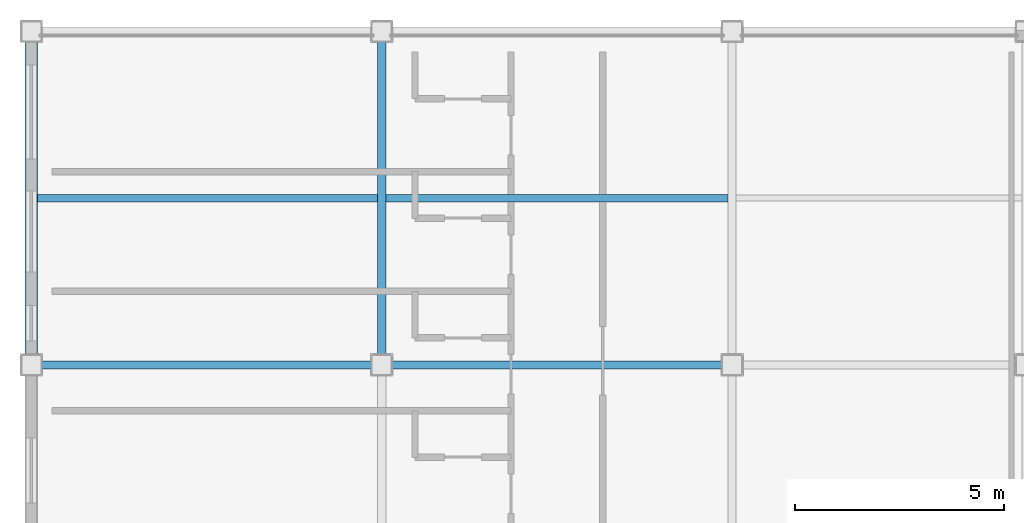
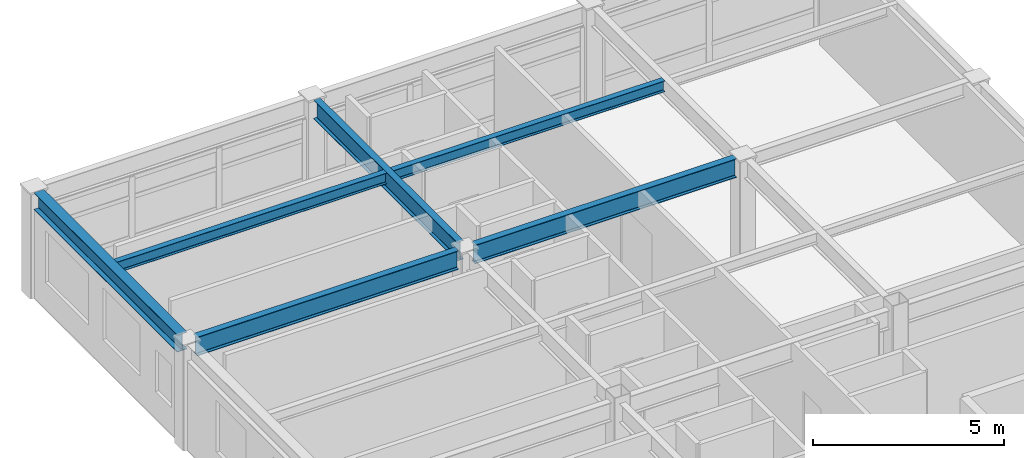
# One storey, part 17 of 33: 6 beams.
"""IFC4 building model written with IfcOpenShell, lengths in metres."""

import ifcopenshell
import ifcopenshell.guid

model = None  # the IFC model being written
_history = None  # IfcOwnerHistory: only IFC2X3 demands one
_inside = {}  # id of a spatial element -> (the spatial element, [elements in it])
_under = {}  # id of a project, library or spatial element -> (it, [spatial elements below it])
_declared = {}  # id of a project -> (the project, [libraries it declares])
_typed = {}  # id of a type object -> (the type object, [elements of that type])
_made_of = {}  # id of a material, layer set ... -> (it, [elements and type objects made of it])


def new_model(schema):
    """Start an empty IFC model of exactly this schema.

    Asked for "IFC4X3", IfcOpenShell would pick the latest addendum, in which some entities
    have other attributes; the version numbers below select the first issue.
    IFC2X3 requires an IfcOwnerHistory on every rooted entity: one is made here for all.
    """
    global model, _history
    if schema == "IFC4X3":
        model = ifcopenshell.file(schema_version=(4, 3, 0, 0))
    else:
        model = ifcopenshell.file(schema=schema)
    _inside.clear()
    _under.clear()
    _declared.clear()
    _typed.clear()
    _made_of.clear()
    _history = None
    if model.schema == "IFC2X3":
        org = make("IfcOrganization", Name="unknown")
        user = make(
            "IfcPersonAndOrganization",
            ThePerson=make("IfcPerson", FamilyName="unknown"),
            TheOrganization=org,
        )
        app = make(
            "IfcApplication",
            ApplicationDeveloper=org,
            Version="unknown",
            ApplicationFullName="unknown",
            ApplicationIdentifier="unknown",
        )
        _history = make(
            "IfcOwnerHistory",
            OwningUser=user,
            OwningApplication=app,
            ChangeAction="ADDED",
            CreationDate=0,
        )
    return model


def make(cls, **values):
    """One entity of the class cls with the attributes given. An attribute that is None is left unset."""
    return model.create_entity(
        cls, **{name: value for name, value in values.items() if value is not None}
    )


def rooted(cls, **values):
    """An entity with a GlobalId (a new one), such as an element, a storey or a relation."""
    return make(cls, GlobalId=ifcopenshell.guid.new(), OwnerHistory=_history, **values)


def si_unit(unit_type, name, prefix=None):
    """IfcSIUnit, for example si_unit("LENGTHUNIT", "METRE", prefix="MILLI")."""
    return make("IfcSIUnit", UnitType=unit_type, Prefix=prefix, Name=name)


def assignment(units):
    """IfcUnitAssignment: the units of a project."""
    return None if units is None else make("IfcUnitAssignment", Units=units)


def point(xyz):
    """IfcCartesianPoint."""
    return None if xyz is None else make("IfcCartesianPoint", Coordinates=xyz)


def direction(xyz):
    """IfcDirection."""
    return None if xyz is None else make("IfcDirection", DirectionRatios=xyz)


def frame(location, z_axis=None, x_axis=None):
    """IfcAxis2Placement3D, a coordinate frame: its origin and axes. An axis left out is left unset."""
    return make(
        "IfcAxis2Placement3D",
        Location=point(location),
        Axis=direction(z_axis),
        RefDirection=direction(x_axis),
    )


def frame_2d(location, x_axis=None):
    """IfcAxis2Placement2D, a coordinate frame in the plane: its origin and x axis."""
    return make(
        "IfcAxis2Placement2D", Location=point(location), RefDirection=direction(x_axis)
    )


def origin():
    """The frame at (0, 0, 0) with its axes left unset."""
    return frame((0.0, 0.0, 0.0))


def origin_2d():
    """The frame at (0, 0) in the plane with its x axis left unset."""
    return frame_2d((0.0, 0.0))


def place(relative_to, where):
    """IfcLocalPlacement: puts the frame where relative to a parent placement (None: the world)."""
    return make(
        "IfcLocalPlacement", PlacementRelTo=relative_to, RelativePlacement=where
    )


def context(
    kind, dimensions, precision=None, world=None, true_north=None, identifier=None
):
    """IfcGeometricRepresentationContext, for example the 3D "Model" context."""
    return make(
        "IfcGeometricRepresentationContext",
        ContextIdentifier=identifier,
        ContextType=kind,
        CoordinateSpaceDimension=dimensions,
        Precision=precision,
        WorldCoordinateSystem=world,
        TrueNorth=true_north,
    )


def subcontext(parent, identifier, kind, view, scale=None):
    """IfcGeometricRepresentationSubContext, for example "Body" below "Model"."""
    return make(
        "IfcGeometricRepresentationSubContext",
        ContextIdentifier=identifier,
        ContextType=kind,
        ParentContext=parent,
        TargetScale=scale,
        TargetView=view,
    )


def project(units=None, contexts=None):
    """IfcProject with its units and contexts."""
    return rooted(
        "IfcProject",
        Name="project",
        RepresentationContexts=contexts,
        UnitsInContext=assignment(units),
    )


def spatial(cls, under=None, at=None, **own):
    """A site, building, storey or space (cls), placed at a placement, below another one or the project."""
    s = rooted(cls, ObjectPlacement=at, **own)
    if under is not None:
        _under.setdefault(under.id(), (under, []))[1].append(s)
    return s


def profile(cls, at=None, kind="AREA", **sizes):
    """A parametric profile (cls). Its sizes go by their IFC names, for example OverallWidth=200.0."""
    return make(cls, ProfileType=kind, Position=at, **sizes)


def i_section(**sizes):
    """IfcIShapeProfileDef."""
    return profile("IfcIShapeProfileDef", **sizes)


def extrude(swept, where, along, depth):
    """IfcExtrudedAreaSolid: the profile swept, set in the frame where, extruded along a direction by depth."""
    return make(
        "IfcExtrudedAreaSolid",
        SweptArea=swept,
        Position=where,
        ExtrudedDirection=direction(along),
        Depth=depth,
    )


def shape(context_of_items, identifier, shape_type, items):
    """IfcShapeRepresentation: the items that make up one representation, for example the "Body"."""
    return make(
        "IfcShapeRepresentation",
        ContextOfItems=context_of_items,
        RepresentationIdentifier=identifier,
        RepresentationType=shape_type,
        Items=items,
    )


def material(Name=None, Category=None):
    """IfcMaterial."""
    return make("IfcMaterial", Name=Name, Category=Category)


def material_profile(
    of_material, cross_section, Name=None, Category=None, Priority=None
):
    """IfcMaterialProfile: a cross section and its material."""
    return make(
        "IfcMaterialProfile",
        Name=Name,
        Material=of_material,
        Profile=cross_section,
        Priority=Priority,
        Category=Category,
    )


def profile_set(profiles, Name=None, composite=None):
    """IfcMaterialProfileSet."""
    return make(
        "IfcMaterialProfileSet",
        Name=Name,
        MaterialProfiles=profiles,
        CompositeProfile=composite,
    )


def made_of(thing, what):
    """Note that an element or type object is made of a material, layer set ...; save() writes the relation."""
    if what is not None:
        _made_of.setdefault(what.id(), (what, []))[1].append(thing)
    return thing


def type_object(cls, material=None, **own):
    """A type object (cls), such as IfcWallType, which elements share."""
    return made_of(rooted(cls, **own), material)


def element(
    cls,
    number,
    at=None,
    inside=None,
    cuts=None,
    type_object=None,
    material=None,
    context=None,
    identifier="Body",
    shape_type=None,
    held_by="IfcProductDefinitionShape",
    body=None,
    shapes=None,
    **own,
):
    """One element of the class cls, such as IfcWall. Its Tag is "e" and its number.

    at: its placement. inside: the storey or other place that contains it. cuts: it is an
    opening in that element (IfcRelVoidsElement). A single representation is given by context,
    identifier, shape_type and body (its items); several are given by shapes. held_by: the class
    of the entity that holds the representations. save() writes the other relations.
    """
    e = rooted(cls, Tag="e%d" % number, ObjectPlacement=at, **own)
    if body is not None:
        shapes = [shape(context, identifier, shape_type, body)]
    if shapes is not None:
        e.Representation = make(held_by, Representations=shapes)
    if inside is not None:
        _inside.setdefault(inside.id(), (inside, []))[1].append(e)
    if cuts is not None:
        rooted(
            "IfcRelVoidsElement", RelatingBuildingElement=cuts, RelatedOpeningElement=e
        )
    if type_object is not None:
        _typed.setdefault(type_object.id(), (type_object, []))[1].append(e)
    return made_of(e, material)


def aggregate(whole, parts):
    """IfcRelAggregates: a whole, such as a stair, and the parts it consists of."""
    return rooted("IfcRelAggregates", RelatingObject=whole, RelatedObjects=parts)


def save(model, path):
    """Write the relations noted so far, then the file.

    IfcRelAggregates (storeys below a building ...), IfcRelContainedInSpatialStructure (elements
    in a storey), IfcRelDefinesByType, IfcRelAssociatesMaterial and IfcRelDeclares: one each for
    every whole, place, type object, material and project.
    """
    for whole, parts in _under.values():
        aggregate(whole, parts)
    for where, things in _inside.values():
        rooted(
            "IfcRelContainedInSpatialStructure",
            RelatedElements=things,
            RelatingStructure=where,
        )
    for kind, things in _typed.values():
        rooted("IfcRelDefinesByType", RelatedObjects=things, RelatingType=kind)
    for what, things in _made_of.values():
        rooted("IfcRelAssociatesMaterial", RelatedObjects=things, RelatingMaterial=what)
    for by, libraries in _declared.values():
        rooted("IfcRelDeclares", RelatingContext=by, RelatedDefinitions=libraries)
    model.write(path)


model = new_model("IFC4")

# Units and contexts
model_context = context("Model", 3, precision=1e-05, world=origin(), true_north=direction((0.0, 1.0)))
body_context = subcontext(model_context, "Body", "Model", "MODEL_VIEW")
ifc_project = project(units=[si_unit("LENGTHUNIT", "METRE"), si_unit("AREAUNIT", "SQUARE_METRE"), si_unit("VOLUMEUNIT", "CUBIC_METRE"), si_unit("PLANEANGLEUNIT", "RADIAN"), si_unit("MASSUNIT", "GRAM", prefix="KILO")], contexts=[model_context])

# Site, building, storey
site_placement = place(None, origin())
site = spatial("IfcSite", under=ifc_project, at=site_placement, CompositionType="ELEMENT")
building_placement = place(site_placement, origin())
building = spatial("IfcBuilding", under=site, at=building_placement, Name="Kazehara Bluff Congress Hotel", CompositionType="ELEMENT")
storey_placement = place(building_placement, frame((0.0, 0.0, 39.0)))
storey = spatial("IfcBuildingStorey", under=building, at=storey_placement, Name="L09", CompositionType="ELEMENT", Elevation=39.0)

# Beams
ifc_material_1 = material(Name="Steel SN490B", Category="steel")
ifc_material_profile_1 = material_profile(ifc_material_1, i_section(OverallWidth=0.199951171875, OverallDepth=0.60009765625, WebThickness=0.010986328125, FlangeThickness=0.01708984375, FilletRadius=0.012939453125, at=origin_2d()))
ifc_profile_set_1 = profile_set([ifc_material_profile_1], Name="Steel SN490B")
beam_type_1 = type_object("IfcBeamType", Name="TP-G-02", PredefinedType="BEAM", material=ifc_profile_set_1)
beam_1_placement = place(storey_placement, frame((152.10009765625, 89.14990234375, 3.080078125), z_axis=(0.0, 1.0, 0.0), x_axis=(-1.0, 0.0, 0.0)))
element("IfcBeam", 1, at=beam_1_placement, inside=storey, type_object=beam_type_1, Name="L09 girder G-02 19", PredefinedType="BEAM", context=body_context, shape_type="SweptSolid", body=[
    extrude(i_section(OverallWidth=0.199951171875, OverallDepth=0.60009765625, WebThickness=0.010986328125, FlangeThickness=0.01708984375, FilletRadius=0.012939453125, at=origin_2d()), origin(), (0.0, 0.0, 1.0), 7.5),
])
beam_2_placement = place(storey_placement, frame((143.949951171875, 88.89990234375, 3.080078125), z_axis=(1.0, 0.0, 0.0), x_axis=(0.0, 1.0, 0.0)))
element("IfcBeam", 2, at=beam_2_placement, inside=storey, type_object=beam_type_1, Name="L09 girder G-02 62", PredefinedType="BEAM", context=body_context, shape_type="SweptSolid", body=[
    extrude(i_section(OverallWidth=0.199951171875, OverallDepth=0.60009765625, WebThickness=0.010986328125, FlangeThickness=0.01708984375, FilletRadius=0.012939453125, at=origin_2d()), origin(), (0.0, 0.0, 1.0), 7.900146484375),
])
beam_3_placement = place(storey_placement, frame((152.35009765625, 88.89990234375, 3.080078125), z_axis=(1.0, 0.0, 0.0), x_axis=(0.0, 1.0, 0.0)))
element("IfcBeam", 3, at=beam_3_placement, inside=storey, type_object=beam_type_1, Name="L09 girder G-02 63", PredefinedType="BEAM", context=body_context, shape_type="SweptSolid", body=[
    extrude(i_section(OverallWidth=0.199951171875, OverallDepth=0.60009765625, WebThickness=0.010986328125, FlangeThickness=0.01708984375, FilletRadius=0.012939453125, at=origin_2d()), origin(), (0.0, 0.0, 1.0), 7.89990234375),
])
ifc_material_2 = material(Name="Steel SN400B", Category="steel")
ifc_material_profile_2 = material_profile(ifc_material_2, i_section(OverallWidth=0.175048828125, OverallDepth=0.35009765625, WebThickness=0.007080078125, FlangeThickness=0.010986328125, FilletRadius=0.012939453125, at=origin_2d()))
ifc_profile_set_2 = profile_set([ifc_material_profile_2], Name="Steel SN400B")
beam_type_2 = type_object("IfcBeamType", Name="TP-J-02", PredefinedType="JOIST", material=ifc_profile_set_2)
beam_4_placement = place(storey_placement, frame((143.85009765625, 92.89990234375, 3.205078125), z_axis=(1.0, 0.0, 0.0), x_axis=(0.0, 1.0, 0.0)))
element("IfcBeam", 4, at=beam_4_placement, inside=storey, type_object=beam_type_2, Name="L09 secondary joist J-02 7", PredefinedType="JOIST", context=body_context, shape_type="SweptSolid", body=[
    extrude(i_section(OverallWidth=0.175048828125, OverallDepth=0.35009765625, WebThickness=0.007080078125, FlangeThickness=0.010986328125, FilletRadius=0.012939453125, at=origin_2d()), origin(), (0.0, 0.0, 1.0), 8.14990234375),
])
beam_5_placement = place(storey_placement, frame((152.199951171875, 92.89990234375, 3.205078125), z_axis=(1.0, 0.0, 0.0), x_axis=(0.0, 1.0, 0.0)))
element("IfcBeam", 5, at=beam_5_placement, inside=storey, type_object=beam_type_2, Name="L09 secondary joist J-02 12", PredefinedType="JOIST", context=body_context, shape_type="SweptSolid", body=[
    extrude(i_section(OverallWidth=0.175048828125, OverallDepth=0.35009765625, WebThickness=0.007080078125, FlangeThickness=0.010986328125, FilletRadius=0.012939453125, at=origin_2d()), origin(), (0.0, 0.0, 1.0), 8.199951171875),
])
ifc_material_3 = material(Name="Steel SN490B", Category="steel")
ifc_material_profile_3 = material_profile(ifc_material_3, i_section(OverallWidth=0.300048828125, OverallDepth=0.550048828125, WebThickness=0.010986328125, FlangeThickness=0.01806640625, FilletRadius=0.012939453125, at=origin_2d()))
ifc_profile_set_3 = profile_set([ifc_material_profile_3], Name="Steel SN490B")
beam_type_3 = type_object("IfcBeamType", Name="TP-SP-01", PredefinedType="SPANDREL", material=ifc_profile_set_3)
beam_6_placement = place(storey_placement, frame((143.699951171875, 89.14990234375, 3.10498046875), z_axis=(0.0, 1.0, 0.0), x_axis=(-1.0, 0.0, 0.0)))
element("IfcBeam", 6, at=beam_6_placement, inside=storey, type_object=beam_type_3, Name="L09 girder SP-01 10", PredefinedType="SPANDREL", context=body_context, shape_type="SweptSolid", body=[
    extrude(i_section(OverallWidth=0.300048828125, OverallDepth=0.550048828125, WebThickness=0.010986328125, FlangeThickness=0.01806640625, FilletRadius=0.012939453125, at=origin_2d()), origin(), (0.0, 0.0, 1.0), 7.5),
])

save(model, "model.ifc")
